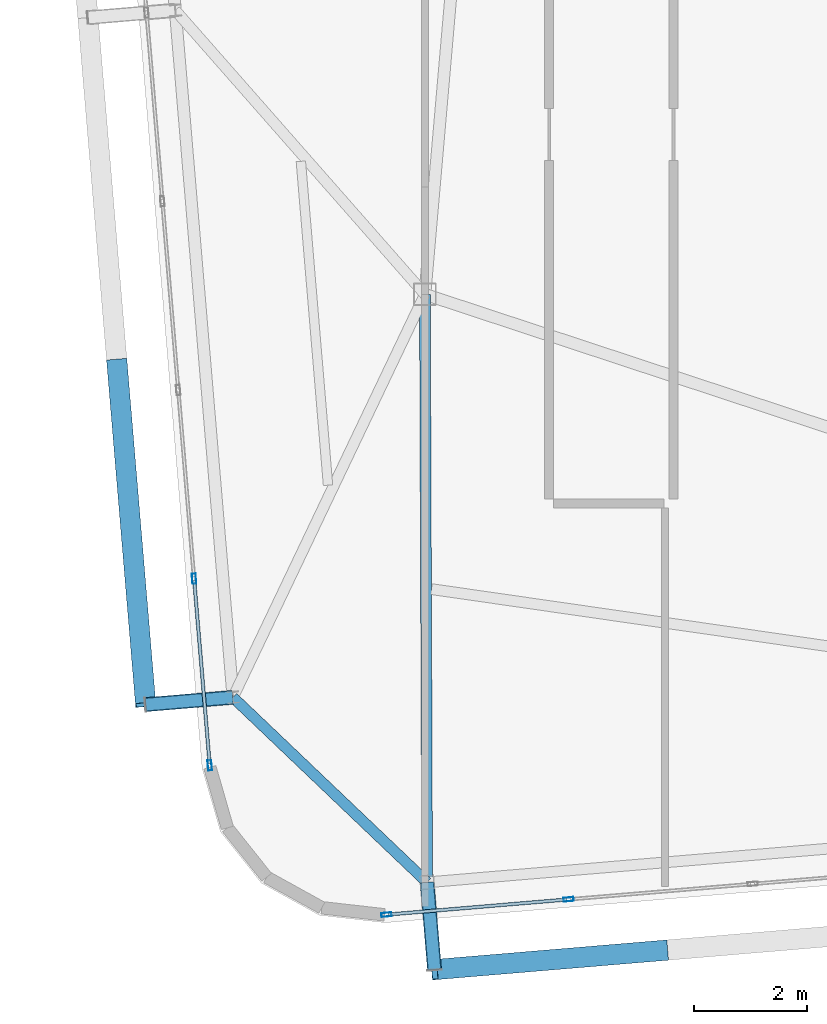
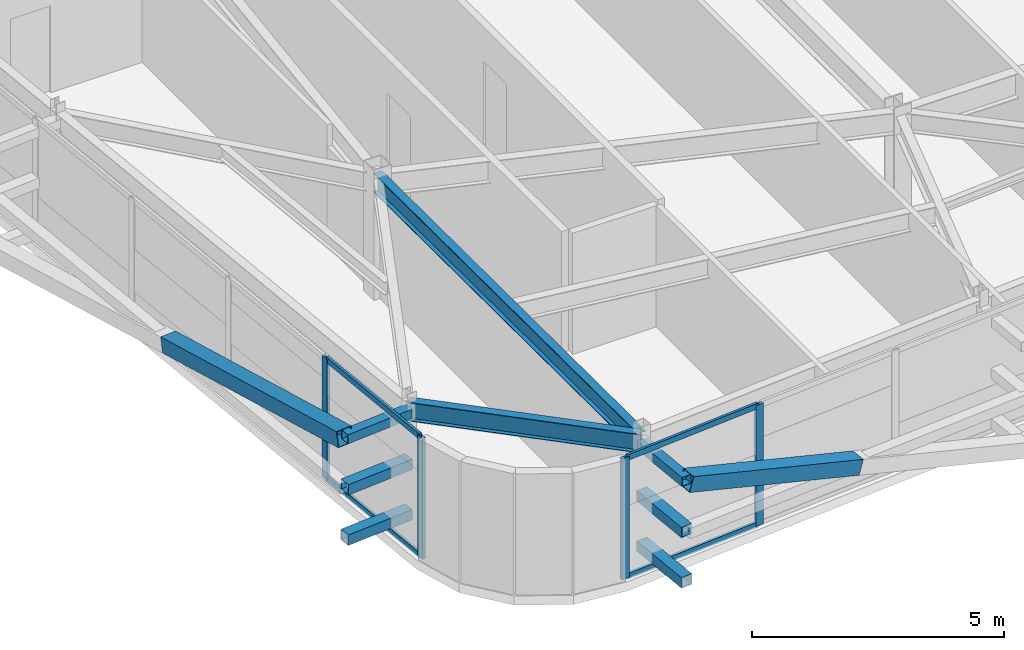
# One storey, part 7 of 46: 16 members, 2 beams, 2 elements without a shape of their own.
"""IFC4 building model written with IfcOpenShell, lengths in metres."""

from ifc_helpers import new_model, si_unit, direction, frame, origin, origin_2d, place, context, subcontext, project, spatial, hollow_rectangle, i_section, extrude, source, transform, mapped, material, layer, layer_set, material_profile, profile_set, type_object, element, aggregate, save


model = new_model("IFC4")

# Units and contexts
model_context = context("Model", 3, precision=1e-05, world=origin(), true_north=direction((0.0, 1.0)))
body_context = subcontext(model_context, "Body", "Model", "MODEL_VIEW")
ifc_project = project(units=[si_unit("LENGTHUNIT", "METRE"), si_unit("AREAUNIT", "SQUARE_METRE"), si_unit("VOLUMEUNIT", "CUBIC_METRE"), si_unit("PLANEANGLEUNIT", "RADIAN"), si_unit("MASSUNIT", "GRAM", prefix="KILO")], contexts=[model_context])

# Site, building, storey
site_placement = place(None, origin())
site = spatial("IfcSite", under=ifc_project, at=site_placement, CompositionType="ELEMENT")
building_placement = place(site_placement, origin())
building = spatial("IfcBuilding", under=site, at=building_placement, Name="Taldren Reach Tower", CompositionType="ELEMENT")
storey_placement = place(building_placement, frame((0.0, 0.0, 194.60009765625)))
storey = spatial("IfcBuildingStorey", under=building, at=storey_placement, Name="L59", CompositionType="ELEMENT", Elevation=194.60009765625)

# Members
ifc_material_1 = material(Name="Steel Gr 350 (C350L0)", Category="steel")
ifc_material_profile_1 = material_profile(ifc_material_1, hollow_rectangle(XDim=0.25, YDim=0.25, WallThickness=0.010009765625, at=origin_2d()), Name="250x250x10.0SHS")
ifc_profile_set_1 = profile_set([ifc_material_profile_1], Name="Steel Gr 350 (C350L0)")
member_type_1 = type_object("IfcMemberType", Name="MB-POST250", PredefinedType="POST", material=ifc_profile_set_1)
shared_shape_1 = source(origin(), body_context, "Body", "SweptSolid", [
    extrude(hollow_rectangle(XDim=0.25, YDim=0.25, WallThickness=0.010009765625, at=origin_2d()), origin(), (0.0, 0.0, 1.0), 1.5498046875),
])
for number, where, z_axis, x_axis, name in (
    (1, (18.03955078125, 2.093994140625, 0.219970703125), (0.083801560254, -0.996482462715, 0.0), (0.996482462715, 0.083801560254, 0.0), "Exoskeleton base diaphragm tie strut B4-S1 L59"),
    (2, (18.03955078125, 2.093994140625, 1.434814453125), (0.083801560254, -0.996482462715, 0.0), (0.996482462715, 0.083801560254, 0.0), "Exoskeleton mid-tier diaphragm tie B4-S1 L59"),
):
    element("IfcMember", number, at=place(storey_placement, frame(where, z_axis=z_axis, x_axis=x_axis)), inside=storey, type_object=member_type_1, Name=name, PredefinedType="POST", context=body_context, shape_type="MappedRepresentation", body=[
        mapped(shared_shape_1, transform((0.0, 0.0, 0.0), scale=1.0)),
    ])

# Beams
ifc_material_2 = material(Name="Steel Gr 350 (350PLUS)", Category="steel")
ifc_material_profile_2 = material_profile(ifc_material_2, i_section(OverallWidth=0.18994140625, OverallDepth=0.4541015625, WebThickness=0.008544921875, FlangeThickness=0.0126953125, at=origin_2d()), Name="460UB67.1")
ifc_profile_set_2 = profile_set([ifc_material_profile_2], Name="Steel Gr 350 (350PLUS)")
beam_type_1 = type_object("IfcBeamType", Name="SP-UB460B", PredefinedType="SPANDREL", material=ifc_profile_set_2)
shared_shape_2 = source(origin(), body_context, "Body", "SweptSolid", [
    extrude(i_section(OverallWidth=0.18994140625, OverallDepth=0.4541015625, WebThickness=0.008544921875, FlangeThickness=0.0126953125, at=origin_2d()), origin(), (0.0, 0.0, 1.0), 4.745849609375),
])
beam_1_placement = place(storey_placement, frame((14.603759765625, 5.367919921875, 2.702880859375), z_axis=(0.723954399605, -0.689847829084, 0.0), x_axis=(0.689847829084, 0.723954399605, 0.0)))
element("IfcBeam", 3, at=beam_1_placement, inside=storey, type_object=beam_type_1, Name="Perimeter spandrel B4 W1-S1 L59", PredefinedType="SPANDREL", context=body_context, shape_type="MappedRepresentation", body=[
    mapped(shared_shape_2, transform((0.0, 0.0, 0.0), scale=1.0)),
])
ifc_material_profile_3 = material_profile(ifc_material_2, i_section(OverallWidth=0.19091796875, OverallDepth=0.4599609375, WebThickness=0.010009765625, FlangeThickness=0.01611328125, at=origin_2d()), Name="460UB82.1")
ifc_profile_set_3 = profile_set([ifc_material_profile_3], Name="Steel Gr 350 (350PLUS)")
beam_type_2 = type_object("IfcBeamType", Name="BM-UB460A", PredefinedType="BEAM", material=ifc_profile_set_3)
shared_shape_3 = source(origin(), body_context, "Body", "SweptSolid", [
    extrude(i_section(OverallWidth=0.19091796875, OverallDepth=0.4599609375, WebThickness=0.010009765625, FlangeThickness=0.01611328125, at=origin_2d()), origin(), (0.0, 0.0, 1.0), 10.406005859375),
])
beam_2_placement = place(storey_placement, frame((18.0, 12.5, 2.699951171875), z_axis=(0.003800737393, -0.999992777172, 0.0), x_axis=(0.999992777172, 0.003800737393, 0.0)))
element("IfcBeam", 4, at=beam_2_placement, inside=storey, type_object=beam_type_2, Name="Primary floor girder B4-S1 L59", PredefinedType="BEAM", context=body_context, shape_type="MappedRepresentation", body=[
    mapped(shared_shape_3, transform((0.0, 0.0, 0.0), scale=1.0)),
])

# Members
ifc_material_3 = material(Name="Steel Gr 450 (C450L0)", Category="steel")
ifc_material_profile_4 = material_profile(ifc_material_3, hollow_rectangle(XDim=0.219970703125, YDim=0.219970703125, WallThickness=0.00830078125, at=origin_2d()), Name="220x220x8.2SHS")
ifc_profile_set_4 = profile_set([ifc_material_profile_4], Name="Steel Gr 450 (C450L0)")
member_type_2 = type_object("IfcMemberType", Name="MB-TIE219", PredefinedType="STRUT", material=ifc_profile_set_4)
shared_shape_4 = source(origin(), body_context, "Body", "SweptSolid", [
    extrude(hollow_rectangle(XDim=0.219970703125, YDim=0.219970703125, WallThickness=0.00830078125, at=origin_2d()), origin(), (0.0, 0.0, 1.0), 1.5498046875),
])
member_1_placement = place(storey_placement, frame((18.03955078125, 2.093994140625, 2.64990234375), z_axis=(0.083801560254, -0.996482462715, 0.0), x_axis=(0.996482462715, 0.083801560254, 0.0)))
element("IfcMember", 5, at=member_1_placement, inside=storey, type_object=member_type_2, Name="Exoskeleton diaphragm tie strut B4-S1 L59", PredefinedType="STRUT", context=body_context, shape_type="MappedRepresentation", body=[
    mapped(shared_shape_4, transform((0.0, 0.0, 0.0), scale=1.0)),
])
shared_shape_5 = source(origin(), body_context, "Body", "SweptSolid", [
    extrude(hollow_rectangle(XDim=0.219970703125, YDim=0.219970703125, WallThickness=0.00830078125, at=origin_2d()), origin(), (0.0, 0.0, 1.0), 1.54541015625),
])
member_2_placement = place(storey_placement, frame((14.59912109375, 5.36767578125, 2.64990234375), z_axis=(-0.99648887425, -0.083725285883, 0.0), x_axis=(0.083725285883, -0.99648887425, 0.0)))
element("IfcMember", 6, at=member_2_placement, inside=storey, type_object=member_type_2, Name="Exoskeleton diaphragm tie strut B4-W1 L59", PredefinedType="STRUT", context=body_context, shape_type="MappedRepresentation", body=[
    mapped(shared_shape_5, transform((0.0, 0.0, 0.0), scale=1.0)),
])
shared_shape_6 = source(origin(), body_context, "Body", "SweptSolid", [
    extrude(hollow_rectangle(XDim=0.25, YDim=0.25, WallThickness=0.010009765625, at=origin_2d()), origin(), (0.0, 0.0, 1.0), 1.54541015625),
])
for number, where, z_axis, x_axis, name in (
    (7, (14.59912109375, 5.36767578125, 0.219970703125), (-0.99648887425, -0.083725285883, 0.0), (0.083725285883, -0.99648887425, 0.0), "Exoskeleton base diaphragm tie strut B4-W1 L59"),
    (8, (14.59912109375, 5.36767578125, 1.434814453125), (-0.99648887425, -0.083725285883, 0.0), (0.083725285883, -0.99648887425, 0.0), "Exoskeleton mid-tier diaphragm tie B4-W1 L59"),
):
    element("IfcMember", number, at=place(storey_placement, frame(where, z_axis=z_axis, x_axis=x_axis)), inside=storey, type_object=member_type_1, Name=name, PredefinedType="POST", context=body_context, shape_type="MappedRepresentation", body=[
        mapped(shared_shape_6, transform((0.0, 0.0, 0.0), scale=1.0)),
    ])
ifc_material_profile_5 = material_profile(ifc_material_3, hollow_rectangle(XDim=0.360107421875, YDim=0.360107421875, WallThickness=0.0126953125, at=origin_2d()), Name="360x360x12.7SHS")
ifc_profile_set_5 = profile_set([ifc_material_profile_5], Name="Steel Gr 450 (C450L0)")
member_type_3 = type_object("IfcMemberType", Name="MB-EXO356", PredefinedType="BRACE", material=ifc_profile_set_5)
shared_shape_7 = source(origin(), body_context, "Body", "SweptSolid", [
    extrude(hollow_rectangle(XDim=0.360107421875, YDim=0.360107421875, WallThickness=0.0126953125, at=origin_2d()), origin(), (0.0, 0.0, 1.0), 4.2666015625),
])
member_3_placement = place(storey_placement, frame((22.2451171875, 0.8916015625, 1.434814453125), z_axis=(-0.955233542365, -0.080165460216, 0.28478479336), x_axis=(0.083628388178, -0.996497010879, 0.0)))
element("IfcMember", 9, at=member_3_placement, inside=storey, type_object=member_type_3, Name="Exoskeleton Diagrid Brace B4-S1 L59", PredefinedType="BRACE", context=body_context, shape_type="MappedRepresentation", body=[
    mapped(shared_shape_7, transform((0.0, 0.0, 0.0), scale=1.0)),
])
shared_shape_8 = source(origin(), body_context, "Body", "SweptSolid", [
    extrude(hollow_rectangle(XDim=0.360107421875, YDim=0.360107421875, WallThickness=0.0126953125, at=origin_2d()), origin(), (0.0, 0.0, 1.0), 6.219970703125),
])
member_4_placement = place(storey_placement, frame((12.548583984375, 11.31689453125, 1.434814453125), z_axis=(0.082075564879, -0.977291924611, 0.195356330179), x_axis=(0.996492003099, 0.083688038336, 0.0)))
element("IfcMember", 10, at=member_4_placement, inside=storey, type_object=member_type_3, Name="Exoskeleton Diagrid Brace B4-W1 L59", PredefinedType="BRACE", context=body_context, shape_type="MappedRepresentation", body=[
    mapped(shared_shape_8, transform((0.0, 0.0, 0.0), scale=1.0)),
])

# Curtain wall, members
ifc_material_4 = material(Name="Aluminium and Low-E Glass Unitised System", Category="aluminium")
ifc_layer = layer(ifc_material_4, 0.159912109375)
ifc_layer_set = layer_set([ifc_layer], Name="Aluminium and Low-E Glass Unitised System")
curtain_wall_type = type_object("IfcCurtainWallType", Name="CW-SYS-5", PredefinedType="NOTDEFINED", material=ifc_layer_set)
curtain_wall_1_placement = place(storey_placement, origin())
curtain_wall_1 = element("IfcCurtainWall", 11, at=curtain_wall_1_placement, inside=storey, type_object=curtain_wall_type, Name="Unitised curtain wall CW-L59-S", PredefinedType="NOTDEFINED")
ifc_material_5 = material(Name="Anodised Aluminium 6063-T6", Category="aluminium")
ifc_material_profile_6 = material_profile(ifc_material_5, hollow_rectangle(XDim=0.070068359375, YDim=0.179931640625, WallThickness=0.00390625, at=origin_2d()), Name="ALU-180x70x4RHS")
ifc_profile_set_6 = profile_set([ifc_material_profile_6], Name="Anodised Aluminium 6063-T6")
member_type_4 = type_object("IfcMemberType", Name="CW-MUL-180", PredefinedType="MULLION", material=ifc_profile_set_6)
shared_shape_9 = source(origin(), body_context, "Body", "SweptSolid", [
    extrude(hollow_rectangle(XDim=0.070068359375, YDim=0.179931640625, WallThickness=0.00390625, at=origin_2d()), origin(), (0.0, 0.0, 1.0), 2.929931640625),
])
member_5_placement = place(storey_placement, frame((17.320068359375, 1.521728515625, 0.0), z_axis=(0.0, 0.0, 1.0), x_axis=(-0.083677894865, 0.996492854922, 0.0)))
member_5 = element("IfcMember", 12, at=member_5_placement, type_object=member_type_4, Name="CW-5 mullion 1", PredefinedType="MULLION", context=body_context, shape_type="MappedRepresentation", body=[
    mapped(shared_shape_9, transform((0.0, 0.0, 0.0), scale=1.0)),
])
member_6_placement = place(storey_placement, frame((20.54296875, 1.79248046875, 0.0), z_axis=(0.0, 0.0, 1.0), x_axis=(-0.083677894865, 0.996492854922, 0.0)))
member_6 = element("IfcMember", 13, at=member_6_placement, type_object=member_type_4, Name="CW-5 mullion 2", PredefinedType="MULLION", context=body_context, shape_type="MappedRepresentation", body=[
    mapped(shared_shape_9, transform((0.0, 0.0, 0.0), scale=1.0)),
])

curtain_wall_2_placement = place(storey_placement, origin())
curtain_wall_2 = element("IfcCurtainWall", 14, at=curtain_wall_2_placement, inside=storey, type_object=curtain_wall_type, Name="Unitised curtain wall CW-L59-W", PredefinedType="NOTDEFINED")
member_7_placement = place(storey_placement, frame((13.91552734375, 7.4677734375, 0.0), z_axis=(0.0, 0.0, 1.0), x_axis=(0.996492847789, 0.083677979808, 0.0)))
member_7 = element("IfcMember", 15, at=member_7_placement, type_object=member_type_4, Name="CW-5 mullion 8", PredefinedType="MULLION", context=body_context, shape_type="MappedRepresentation", body=[
    mapped(shared_shape_9, transform((0.0, 0.0, 0.0), scale=1.0)),
])
member_8_placement = place(storey_placement, frame((14.19287109375, 4.164306640625, 0.0), z_axis=(0.0, 0.0, 1.0), x_axis=(0.996492847789, 0.083677979808, 0.0)))
member_8 = element("IfcMember", 16, at=member_8_placement, type_object=member_type_4, Name="CW-5 mullion 9", PredefinedType="MULLION", context=body_context, shape_type="MappedRepresentation", body=[
    mapped(shared_shape_9, transform((0.0, 0.0, 0.0), scale=1.0)),
])

# Member
ifc_material_profile_7 = material_profile(ifc_material_5, hollow_rectangle(XDim=0.06005859375, YDim=0.135009765625, WallThickness=0.00341796875, at=origin_2d()), Name="ALU-135x60x3.5RHS")
ifc_profile_set_7 = profile_set([ifc_material_profile_7], Name="Anodised Aluminium 6063-T6")
member_type_5 = type_object("IfcMemberType", Name="CW-TRN-150", PredefinedType="USERDEFINED", material=ifc_profile_set_7)
shared_shape_10 = source(origin(), body_context, "Body", "SweptSolid", [
    extrude(hollow_rectangle(XDim=0.06005859375, YDim=0.135009765625, WallThickness=0.00341796875, at=origin_2d()), origin(), (0.0, 0.0, 1.0), 3.1640625),
])
member_9_placement = place(storey_placement, frame((17.35498046875, 1.524658203125, 0.02978515625), z_axis=(0.996489659996, 0.083715933496, 0.0), x_axis=(-0.083715933496, 0.996489659996, 0.0)))
member_9 = element("IfcMember", 17, at=member_9_placement, type_object=member_type_5, Name="CW-5 transom 1.1", ObjectType="TRANSOM", PredefinedType="USERDEFINED", context=body_context, shape_type="MappedRepresentation", body=[
    mapped(shared_shape_10, transform((0.0, 0.0, 0.0), scale=1.0)),
])

member_10_placement = place(storey_placement, frame((17.35498046875, 1.524658203125, 2.89990234375), z_axis=(0.996489659996, 0.083715933496, 0.0), x_axis=(-0.083715933496, 0.996489659996, 0.0)))
member_10 = element("IfcMember", 18, at=member_10_placement, type_object=member_type_5, Name="CW-5 transom 1.2", ObjectType="TRANSOM", PredefinedType="USERDEFINED", context=body_context, shape_type="MappedRepresentation", body=[
    mapped(shared_shape_10, transform((0.0, 0.0, 0.0), scale=1.0)),
])

aggregate(curtain_wall_1, [member_5, member_6, member_9, member_10])

shared_shape_11 = source(origin(), body_context, "Body", "SweptSolid", [
    extrude(hollow_rectangle(XDim=0.06005859375, YDim=0.135009765625, WallThickness=0.00341796875, at=origin_2d()), origin(), (0.0, 0.0, 1.0), 3.2451171875),
])
member_11_placement = place(storey_placement, frame((13.91845703125, 7.432861328125, 0.02978515625), z_axis=(0.083661876203, -0.996494199918, 0.0), x_axis=(0.996494199918, 0.083661876203, 0.0)))
member_11 = element("IfcMember", 19, at=member_11_placement, type_object=member_type_5, Name="CW-5 transom 8.1", ObjectType="TRANSOM", PredefinedType="USERDEFINED", context=body_context, shape_type="MappedRepresentation", body=[
    mapped(shared_shape_11, transform((0.0, 0.0, 0.0), scale=1.0)),
])

member_12_placement = place(storey_placement, frame((13.91845703125, 7.432861328125, 2.89990234375), z_axis=(0.083661876203, -0.996494199918, 0.0), x_axis=(0.996494199918, 0.083661876203, 0.0)))
member_12 = element("IfcMember", 20, at=member_12_placement, type_object=member_type_5, Name="CW-5 transom 8.2", ObjectType="TRANSOM", PredefinedType="USERDEFINED", context=body_context, shape_type="MappedRepresentation", body=[
    mapped(shared_shape_11, transform((0.0, 0.0, 0.0), scale=1.0)),
])

aggregate(curtain_wall_2, [member_7, member_8, member_11, member_12])

save(model, "model.ifc")
